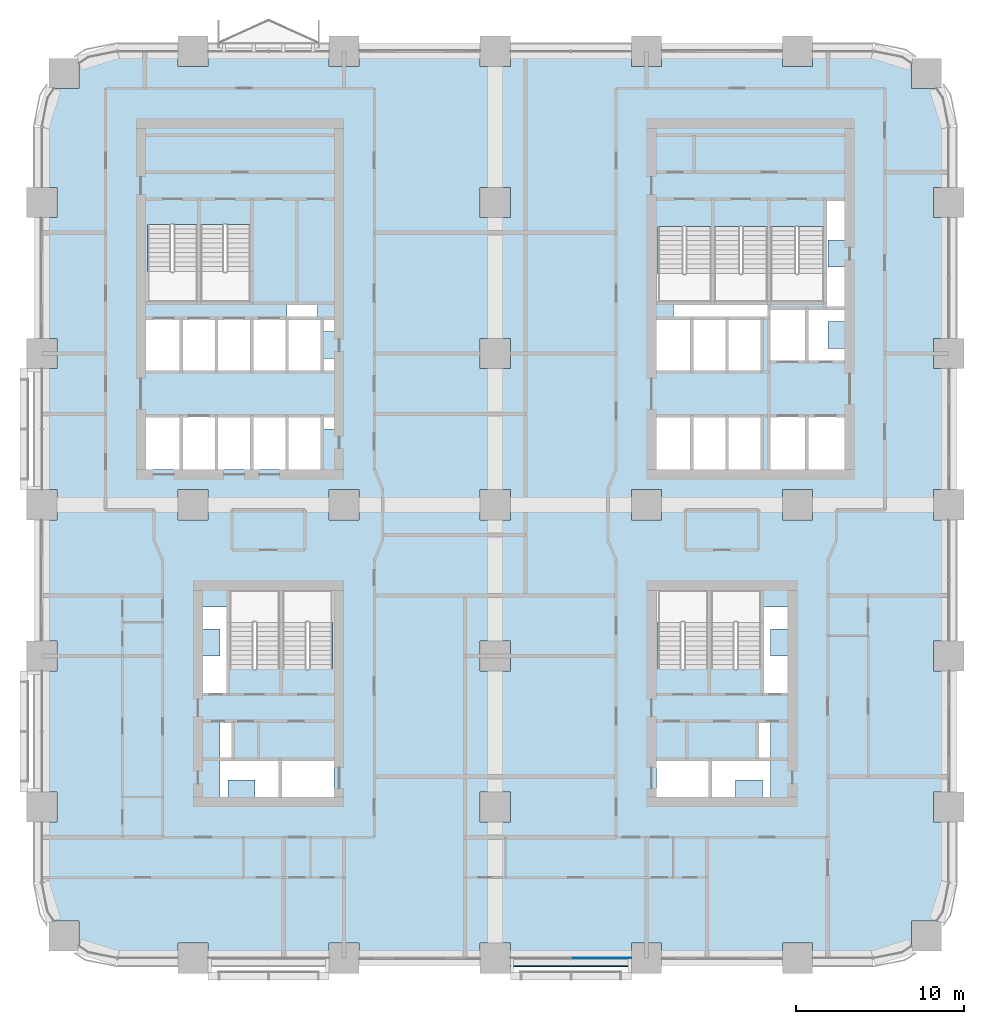
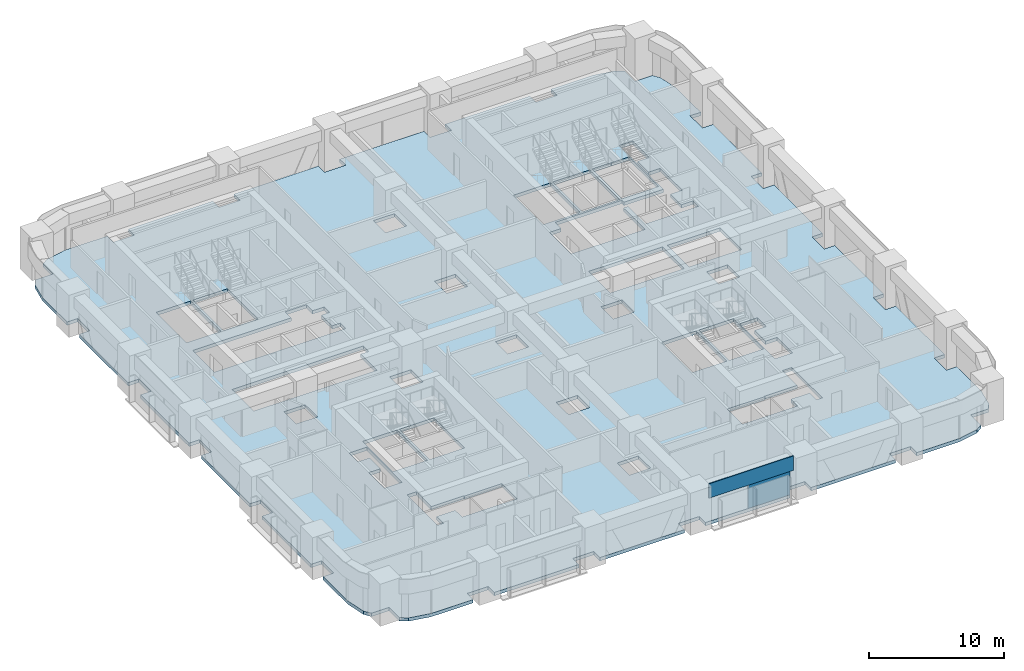
# One storey, part 11 of 23: 2 plates, 1 slab, 1 element without a shape of its own.
"""IFC4 building model written with IfcOpenShell, lengths in metres."""

from ifc_helpers import new_model, si_unit, direction, frame, origin, origin_2d, place, context, subcontext, project, spatial, polyline, rectangle, outline, extrude, material, layer, layer_set, type_object, element, aggregate, save


model = new_model("IFC4")

# Units and contexts
model_context = context("Model", 3, precision=1e-05, world=origin(), true_north=direction((0.0, 1.0)))
body_context = subcontext(model_context, "Body", "Model", "MODEL_VIEW")
ifc_project = project(units=[si_unit("LENGTHUNIT", "METRE"), si_unit("AREAUNIT", "SQUARE_METRE"), si_unit("VOLUMEUNIT", "CUBIC_METRE"), si_unit("PLANEANGLEUNIT", "RADIAN"), si_unit("MASSUNIT", "GRAM", prefix="KILO")], contexts=[model_context])

# Site, building, storey
site_placement = place(None, origin())
site = spatial("IfcSite", under=ifc_project, at=site_placement, CompositionType="ELEMENT")
building_placement = place(site_placement, origin())
building = spatial("IfcBuilding", under=site, at=building_placement, Name="Tessera Arch", CompositionType="ELEMENT")
storey_placement = place(building_placement, frame((0.0, 0.0, 57.60009765625)))
storey = spatial("IfcBuildingStorey", under=building, at=storey_placement, Name="L12", CompositionType="ELEMENT", Elevation=57.60009765625)

# Curtain wall, plates
ifc_material_1 = material(Name="CW1 curtain wall")
curtain_wall_type = type_object("IfcCurtainWallType", Name="CW1 curtain wall", PredefinedType="NOTDEFINED", material=ifc_material_1)
curtain_wall_placement = place(storey_placement, origin())
curtain_wall = element("IfcCurtainWall", 1, at=curtain_wall_placement, inside=storey, type_object=curtain_wall_type, Name="CW1 curtain wall S0.0/2 L12", PredefinedType="NOTDEFINED")
ifc_material_2 = material(Name="Clear low-e glass", Category="glass")
ifc_material_3 = material(Name="Clear low-e glass", Category="glass")
ifc_layer_1 = layer(ifc_material_3, 0.028076171875)
ifc_layer_set_1 = layer_set([ifc_layer_1], Name="CW1 glass panel")
plate_type_1 = type_object("IfcPlateType", Name="CW1 glass panel", PredefinedType="CURTAIN_PANEL", material=ifc_layer_set_1)
plate_1_placement = place(storey_placement, frame((33.31494140625, 0.0, 0.0), z_axis=(0.0, 0.0, 1.0), x_axis=(1.0, 0.0, 0.0)))
plate_1 = element("IfcPlate", 2, at=plate_1_placement, type_object=plate_type_1, material=ifc_material_2, Name="CW1 glass panel S0.0/2 1.2.1", PredefinedType="CURTAIN_PANEL", context=body_context, shape_type="SweptSolid", body=[
    extrude(rectangle(XDim=3.570068359375, YDim=0.028076171875, at=origin_2d()), origin(), (0.0, 0.0, 1.0), 2.39990234375),
])
ifc_material_4 = material(Name="Pale anodised aluminium panel", Category="aluminium")
ifc_layer_2 = layer(ifc_material_4, 0.06005859375)
ifc_layer_set_2 = layer_set([ifc_layer_2], Name="CW1 spandrel panel")
plate_type_2 = type_object("IfcPlateType", Name="CW1 spandrel panel", PredefinedType="CURTAIN_PANEL", material=ifc_layer_set_2)
plate_2_placement = place(storey_placement, frame((31.5, -0.47998046875, 2.5), z_axis=(0.0, 0.0, 1.0), x_axis=(1.0, 0.0, 0.0)))
plate_2 = element("IfcPlate", 3, at=plate_2_placement, type_object=plate_type_2, Name="CW1 spandrel panel S0.0/2", PredefinedType="CURTAIN_PANEL", context=body_context, shape_type="SweptSolid", body=[
    extrude(rectangle(XDim=7.199951171875, YDim=0.06005859375, at=origin_2d()), origin(), (0.0, 0.0, 1.0), 1.300048828125),
])
aggregate(curtain_wall, [plate_1, plate_2])

# Slab
ifc_material_5 = material(Name="Concrete C40/50", Category="concrete")
ifc_layer_3 = layer(ifc_material_5, 0.300048828125)
ifc_layer_set_3 = layer_set([ifc_layer_3], Name="Floor slab 300 Concrete C40/50")
slab_type = type_object("IfcSlabType", Name="Floor slab 300 Concrete C40/50", PredefinedType="FLOOR", material=ifc_layer_set_3)
slab_placement = place(storey_placement, frame((0.0, 0.0, -0.300048828125)))
element("IfcSlab", 4, at=slab_placement, inside=storey, type_object=slab_type, Name="Floor slab L12 1", PredefinedType="FLOOR", context=body_context, shape_type="SweptSolid", body=[
    extrude(outline(polyline([(4.5, 0.0), (2.77783203125, 0.342529296875), (2.218017578125, 0.716552734375), (2.218017578125, 2.218017578125), (0.716552734375, 2.218017578125), (0.342529296875, 2.77783203125), (0.0, 4.5), (0.0, 8.10009765625), (0.89990234375, 8.10009765625), (0.89990234375, 9.89990234375), (0.0, 9.89990234375), (0.0, 17.10009765625), (0.89990234375, 17.10009765625), (0.89990234375, 18.89990234375), (0.0, 18.89990234375), (0.0, 26.10009765625), (0.89990234375, 26.10009765625), (0.89990234375, 27.89990234375), (0.0, 27.89990234375), (0.0, 35.10009765625), (0.89990234375, 35.10009765625), (0.89990234375, 36.89990234375), (0.0, 36.89990234375), (0.0, 44.10009765625), (0.89990234375, 44.10009765625), (0.89990234375, 45.89990234375), (0.0, 45.89990234375), (0.0, 49.5), (0.342529296875, 51.22216796875), (0.716552734375, 51.781982421875), (2.218017578125, 51.781982421875), (2.218017578125, 53.283447265625), (2.77783203125, 53.657470703125), (4.5, 54.0), (8.10009765625, 54.0), (8.10009765625, 53.10009765625), (9.89990234375, 53.10009765625), (9.89990234375, 54.0), (17.10009765625, 54.0), (17.10009765625, 53.10009765625), (18.89990234375, 53.10009765625), (18.89990234375, 54.0), (26.10009765625, 54.0), (26.10009765625, 53.10009765625), (27.89990234375, 53.10009765625), (27.89990234375, 54.0), (35.10009765625, 54.0), (35.10009765625, 53.10009765625), (36.89990234375, 53.10009765625), (36.89990234375, 54.0), (44.10009765625, 54.0), (44.10009765625, 53.10009765625), (45.89990234375, 53.10009765625), (45.89990234375, 54.0), (49.5, 54.0), (51.22216796875, 53.657470703125), (51.781982421875, 53.283447265625), (51.781982421875, 51.781982421875), (53.283447265625, 51.781982421875), (53.657470703125, 51.22216796875), (54.0, 49.5), (54.0, 45.89990234375), (53.10009765625, 45.89990234375), (53.10009765625, 44.10009765625), (54.0, 44.10009765625), (54.0, 36.89990234375), (53.10009765625, 36.89990234375), (53.10009765625, 35.10009765625), (54.0, 35.10009765625), (54.0, 27.89990234375), (53.10009765625, 27.89990234375), (53.10009765625, 26.10009765625), (54.0, 26.10009765625), (54.0, 18.89990234375), (53.10009765625, 18.89990234375), (53.10009765625, 17.10009765625), (54.0, 17.10009765625), (54.0, 9.89990234375), (53.10009765625, 9.89990234375), (53.10009765625, 8.10009765625), (54.0, 8.10009765625), (54.0, 4.5), (53.657470703125, 2.77783203125), (53.283447265625, 2.218017578125), (51.781982421875, 2.218017578125), (51.781982421875, 0.716552734375), (51.22216796875, 0.342529296875), (49.5, 0.0), (45.89990234375, 0.0), (45.89990234375, 0.89990234375), (44.10009765625, 0.89990234375), (44.10009765625, 0.0), (36.89990234375, 0.0), (36.89990234375, 0.89990234375), (35.10009765625, 0.89990234375), (35.10009765625, 0.0), (27.89990234375, 0.0), (27.89990234375, 0.89990234375), (26.10009765625, 0.89990234375), (26.10009765625, 0.0), (18.89990234375, 0.0), (18.89990234375, 0.89990234375), (17.10009765625, 0.89990234375), (17.10009765625, 0.0), (9.89990234375, 0.0), (9.89990234375, 0.89990234375), (8.10009765625, 0.89990234375), (8.10009765625, 0.0), (4.5, 0.0)]), holes=[polyline([(11.10009765625, 9.60009765625), (11.10009765625, 10.60009765625), (12.699951171875, 10.60009765625), (12.699951171875, 9.60009765625), (14.199951171875, 9.60009765625), (17.39990234375, 9.60009765625), (17.39990234375, 11.85009765625), (14.199951171875, 11.85009765625), (14.199951171875, 11.89990234375), (11.39990234375, 11.89990234375), (11.39990234375, 14.10009765625), (10.60009765625, 14.10009765625), (10.60009765625, 11.89990234375), (10.60009765625, 9.60009765625), (11.10009765625, 9.60009765625)]), polyline([(9.60009765625, 19.60009765625), (10.60009765625, 19.60009765625), (10.60009765625, 18.0), (9.60009765625, 18.0), (9.60009765625, 15.699951171875), (11.10009765625, 15.699951171875), (11.10009765625, 20.89990234375), (9.60009765625, 20.89990234375), (9.60009765625, 19.60009765625)]), polyline([(12.60009765625, 17.2099609375), (12.60009765625, 17.199951171875), (12.75, 17.199951171875), (12.75, 17.2099609375), (14.14990234375, 17.2099609375), (14.14990234375, 21.699951171875), (11.199951171875, 21.699951171875), (11.199951171875, 17.2099609375), (12.60009765625, 17.2099609375)]), polyline([(8.10009765625, 26.10009765625), (9.89990234375, 26.10009765625), (9.89990234375, 27.89990234375), (8.10009765625, 27.89990234375), (8.10009765625, 26.10009765625)]), polyline([(12.5, 29.10009765625), (14.60009765625, 29.10009765625), (16.699951171875, 29.10009765625), (16.699951171875, 31.5), (17.39990234375, 31.5), (17.39990234375, 32.300048828125), (16.699951171875, 32.300048828125), (14.60009765625, 32.300048828125), (12.5, 32.300048828125), (10.39990234375, 32.300048828125), (8.300048828125, 32.300048828125), (6.199951171875, 32.300048828125), (6.199951171875, 29.10009765625), (8.300048828125, 29.10009765625), (10.39990234375, 29.10009765625), (12.5, 29.10009765625)]), polyline([(10.39990234375, 38.10009765625), (8.300048828125, 38.10009765625), (6.199951171875, 38.10009765625), (6.199951171875, 34.89990234375), (8.300048828125, 34.89990234375), (10.39990234375, 34.89990234375), (12.5, 34.89990234375), (14.60009765625, 34.89990234375), (16.699951171875, 34.89990234375), (17.39990234375, 34.89990234375), (17.39990234375, 35.699951171875), (16.699951171875, 35.699951171875), (16.699951171875, 37.300048828125), (17.39990234375, 37.300048828125), (17.39990234375, 38.10009765625), (16.699951171875, 38.10009765625), (16.39990234375, 38.10009765625), (16.39990234375, 39.0), (14.60009765625, 39.0), (14.60009765625, 38.10009765625), (12.5, 38.10009765625), (10.39990234375, 38.10009765625)]), polyline([(11.0, 43.699951171875), (10.85009765625, 43.699951171875), (10.85009765625, 43.68994140625), (9.449951171875, 43.68994140625), (9.449951171875, 39.199951171875), (12.39990234375, 39.199951171875), (12.39990234375, 43.68994140625), (11.0, 43.68994140625), (11.0, 43.699951171875)]), polyline([(7.85009765625, 43.699951171875), (7.699951171875, 43.699951171875), (7.699951171875, 43.68994140625), (6.300048828125, 43.68994140625), (6.300048828125, 39.199951171875), (9.25, 39.199951171875), (9.25, 43.68994140625), (7.85009765625, 43.68994140625), (7.85009765625, 43.699951171875)]), polyline([(26.10009765625, 8.10009765625), (27.89990234375, 8.10009765625), (27.89990234375, 9.89990234375), (26.10009765625, 9.89990234375), (26.10009765625, 8.10009765625)]), polyline([(39.800048828125, 9.60009765625), (41.300048828125, 9.60009765625), (41.300048828125, 10.60009765625), (42.89990234375, 10.60009765625), (42.89990234375, 9.60009765625), (43.39990234375, 9.60009765625), (43.39990234375, 11.89990234375), (43.39990234375, 14.10009765625), (42.60009765625, 14.10009765625), (42.60009765625, 11.89990234375), (39.800048828125, 11.89990234375), (39.800048828125, 11.85009765625), (36.60009765625, 11.85009765625), (36.60009765625, 9.60009765625), (39.800048828125, 9.60009765625)]), polyline([(26.10009765625, 18.89990234375), (26.10009765625, 17.10009765625), (27.89990234375, 17.10009765625), (27.89990234375, 18.89990234375), (26.10009765625, 18.89990234375)]), polyline([(15.75, 17.199951171875), (15.89990234375, 17.199951171875), (15.89990234375, 17.2099609375), (17.300048828125, 17.2099609375), (17.300048828125, 21.699951171875), (14.35009765625, 21.699951171875), (14.35009765625, 17.2099609375), (15.75, 17.2099609375), (15.75, 17.199951171875)]), polyline([(38.10009765625, 17.199951171875), (38.25, 17.199951171875), (38.25, 17.2099609375), (39.64990234375, 17.2099609375), (39.64990234375, 21.699951171875), (36.699951171875, 21.699951171875), (36.699951171875, 17.2099609375), (38.10009765625, 17.2099609375), (38.10009765625, 17.199951171875)]), polyline([(17.10009765625, 26.10009765625), (18.89990234375, 26.10009765625), (18.89990234375, 27.89990234375), (17.10009765625, 27.89990234375), (17.10009765625, 26.10009765625)]), polyline([(26.10009765625, 27.89990234375), (26.10009765625, 26.10009765625), (27.89990234375, 26.10009765625), (27.89990234375, 27.89990234375), (26.10009765625, 27.89990234375)]), polyline([(35.10009765625, 27.89990234375), (35.10009765625, 26.10009765625), (36.89990234375, 26.10009765625), (36.89990234375, 27.89990234375), (35.10009765625, 27.89990234375)]), polyline([(36.60009765625, 32.300048828125), (36.60009765625, 29.10009765625), (38.699951171875, 29.10009765625), (40.800048828125, 29.10009765625), (42.89990234375, 29.10009765625), (42.89990234375, 32.300048828125), (40.800048828125, 32.300048828125), (38.699951171875, 32.300048828125), (36.60009765625, 32.300048828125)]), polyline([(26.10009765625, 35.10009765625), (27.89990234375, 35.10009765625), (27.89990234375, 36.89990234375), (26.10009765625, 36.89990234375), (26.10009765625, 35.10009765625)]), polyline([(38.699951171875, 34.89990234375), (40.800048828125, 34.89990234375), (42.89990234375, 34.89990234375), (42.89990234375, 38.10009765625), (43.300048828125, 38.10009765625), (43.300048828125, 35.5), (45.550048828125, 35.5), (47.800048828125, 35.5), (47.800048828125, 36.300048828125), (46.800048828125, 36.300048828125), (46.800048828125, 37.89990234375), (47.800048828125, 37.89990234375), (47.800048828125, 38.699951171875), (47.800048828125, 41.14990234375), (46.800048828125, 41.14990234375), (46.800048828125, 42.75), (47.800048828125, 42.75), (47.800048828125, 45.199951171875), (46.64990234375, 45.199951171875), (46.64990234375, 38.699951171875), (45.550048828125, 38.699951171875), (43.300048828125, 38.699951171875), (43.300048828125, 39.0), (37.60009765625, 39.0), (37.60009765625, 38.10009765625), (36.60009765625, 38.10009765625), (36.60009765625, 34.89990234375), (38.699951171875, 34.89990234375)]), polyline([(38.330078125, 43.580078125), (38.219970703125, 43.580078125), (38.219970703125, 43.570068359375), (36.699951171875, 43.570068359375), (36.699951171875, 39.199951171875), (39.85009765625, 39.199951171875), (39.85009765625, 43.570068359375), (38.330078125, 43.570068359375), (38.330078125, 43.580078125)]), polyline([(26.10009765625, 44.10009765625), (27.89990234375, 44.10009765625), (27.89990234375, 45.89990234375), (26.10009765625, 45.89990234375), (26.10009765625, 44.10009765625)]), polyline([(42.89990234375, 15.699951171875), (44.39990234375, 15.699951171875), (44.39990234375, 18.0), (43.39990234375, 18.0), (43.39990234375, 19.60009765625), (44.39990234375, 19.60009765625), (44.39990234375, 20.89990234375), (42.89990234375, 20.89990234375), (42.89990234375, 15.699951171875)]), polyline([(41.25, 17.199951171875), (41.39990234375, 17.199951171875), (41.39990234375, 17.2099609375), (42.800048828125, 17.2099609375), (42.800048828125, 21.699951171875), (39.85009765625, 21.699951171875), (39.85009765625, 17.2099609375), (41.25, 17.2099609375), (41.25, 17.199951171875)]), polyline([(44.10009765625, 26.10009765625), (45.89990234375, 26.10009765625), (45.89990234375, 27.89990234375), (44.10009765625, 27.89990234375), (44.10009765625, 26.10009765625)]), polyline([(45.550048828125, 29.10009765625), (47.800048828125, 29.10009765625), (47.800048828125, 32.300048828125), (45.550048828125, 32.300048828125), (43.300048828125, 32.300048828125), (43.300048828125, 29.10009765625), (45.550048828125, 29.10009765625)]), polyline([(45.030029296875, 43.570068359375), (45.030029296875, 43.580078125), (44.919921875, 43.580078125), (44.919921875, 43.570068359375), (43.39990234375, 43.570068359375), (43.39990234375, 39.199951171875), (46.550048828125, 39.199951171875), (46.550048828125, 43.570068359375), (45.030029296875, 43.570068359375)]), polyline([(41.679931640625, 43.580078125), (41.570068359375, 43.580078125), (41.570068359375, 43.570068359375), (40.050048828125, 43.570068359375), (40.050048828125, 39.199951171875), (43.199951171875, 39.199951171875), (43.199951171875, 43.570068359375), (41.679931640625, 43.570068359375), (41.679931640625, 43.580078125)])]), origin(), (0.0, 0.0, 1.0), 0.300048828125),
])

save(model, "model.ifc")
